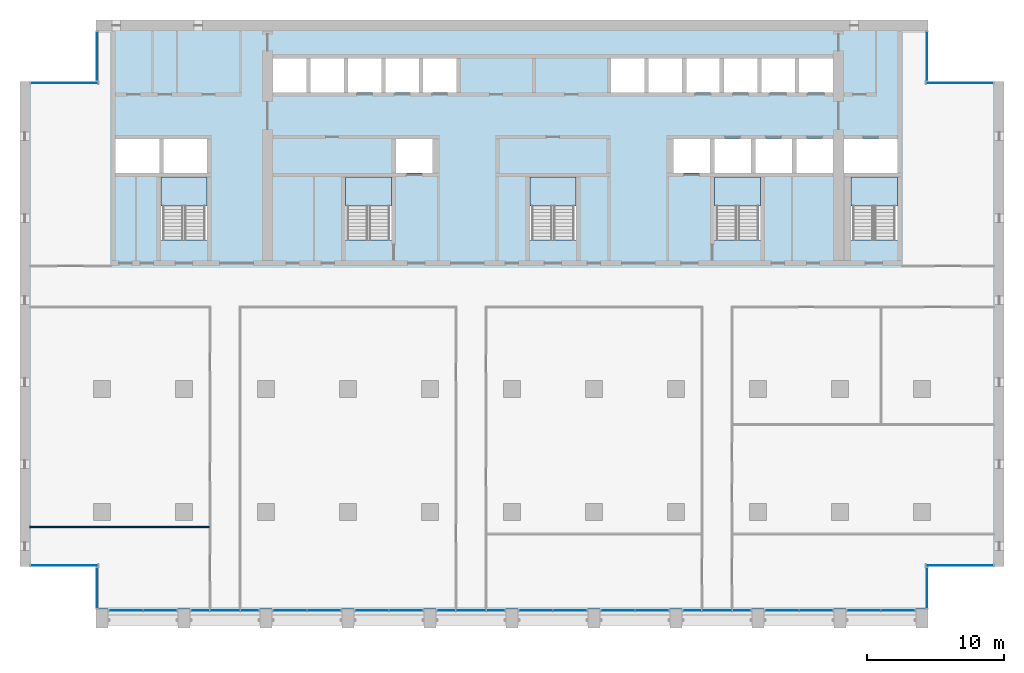
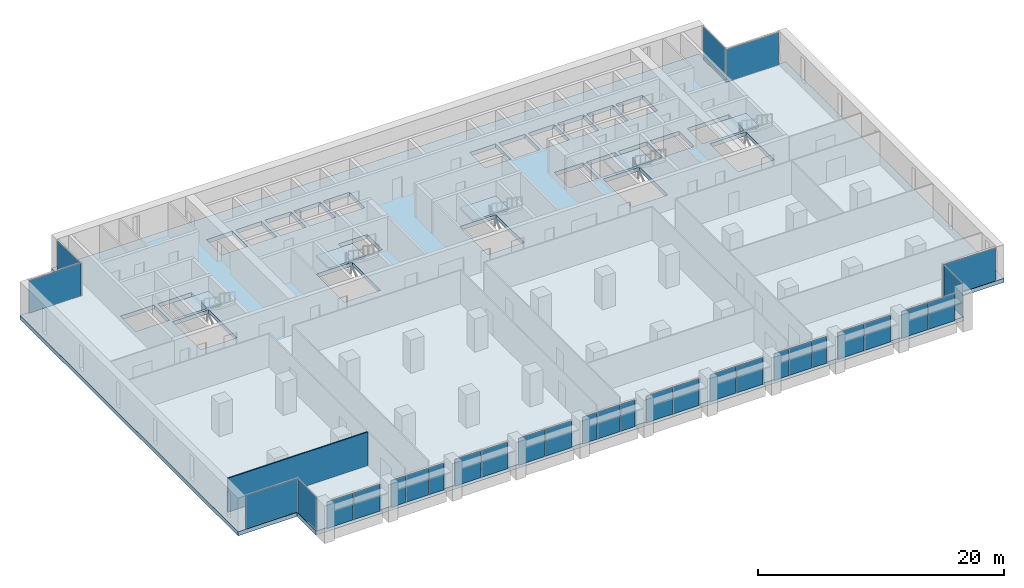
# One storey, part 7 of 16: 31 plates, 6 slabs, 1 wall, 23 elements without a shape of their own.
"""IFC4 building model written with IfcOpenShell, lengths in metres."""

from ifc_helpers import new_model, si_unit, direction, frame, frame_2d, origin, origin_2d, place, context, subcontext, project, spatial, polyline, rectangle, outline, extrude, material, layer, layer_set, type_object, element, aggregate, save


model = new_model("IFC4")

# Units and contexts
model_context = context("Model", 3, precision=1e-05, world=origin(), true_north=direction((0.0, 1.0)))
body_context = subcontext(model_context, "Body", "Model", "MODEL_VIEW")
ifc_project = project(units=[si_unit("LENGTHUNIT", "METRE"), si_unit("AREAUNIT", "SQUARE_METRE"), si_unit("VOLUMEUNIT", "CUBIC_METRE"), si_unit("PLANEANGLEUNIT", "RADIAN"), si_unit("MASSUNIT", "GRAM", prefix="KILO")], contexts=[model_context])

# Site, building, storey
site_placement = place(None, origin())
site = spatial("IfcSite", under=ifc_project, at=site_placement, CompositionType="ELEMENT")
building_placement = place(site_placement, origin())
building = spatial("IfcBuilding", under=site, at=building_placement, Name="Calvaro Tower", CompositionType="ELEMENT")
storey_placement = place(building_placement, frame((0.0, 0.0, 140.0)))
storey = spatial("IfcBuildingStorey", under=building, at=storey_placement, Name="L35", CompositionType="ELEMENT", Elevation=140.0)

# Slab
ifc_material_1 = material(Name="Concrete C40/50", Category="concrete")
ifc_layer_1 = layer(ifc_material_1, 0.39990234375)
ifc_layer_set_1 = layer_set([ifc_layer_1], Name="Concrete C40/50")
slab_type_1 = type_object("IfcSlabType", Name="Floor slab 400 C40/50", PredefinedType="FLOOR", material=ifc_layer_set_1)
slab_1_placement = place(storey_placement, frame((0.0, 0.0, -0.39990234375)))
element("IfcSlab", 1, at=slab_1_placement, inside=storey, type_object=slab_type_1, Name="Floor slab", PredefinedType="FLOOR", context=body_context, shape_type="SweptSolid", body=[
    extrude(outline(polyline([(66.449951171875, 6.0), (66.449951171875, 2.89990234375), (5.550048828125, 2.89990234375), (5.550048828125, 6.0), (0.0, 6.0), (0.0, 41.5), (5.550048828125, 41.5), (5.550048828125, 46.0), (66.449951171875, 46.0), (66.449951171875, 41.5), (72.0, 41.5), (72.0, 6.0), (66.449951171875, 6.0)]), holes=[polyline([(10.300048828125, 29.909912109375), (10.300048828125, 34.5), (12.0, 34.5), (13.699951171875, 34.5), (13.699951171875, 29.909912109375), (12.0, 29.909912109375), (10.300048828125, 29.909912109375)]), polyline([(23.800048828125, 29.909912109375), (23.800048828125, 34.5), (25.5, 34.5), (27.199951171875, 34.5), (27.199951171875, 29.909912109375), (25.5, 29.909912109375), (23.800048828125, 29.909912109375)]), polyline([(37.300048828125, 29.909912109375), (37.300048828125, 34.5), (39.0, 34.5), (40.699951171875, 34.5), (40.699951171875, 29.909912109375), (39.0, 29.909912109375), (37.300048828125, 29.909912109375)]), polyline([(50.800048828125, 29.909912109375), (50.800048828125, 34.5), (52.5, 34.5), (54.199951171875, 34.5), (54.199951171875, 29.909912109375), (52.5, 29.909912109375), (50.800048828125, 29.909912109375)]), polyline([(60.800048828125, 29.909912109375), (60.800048828125, 34.5), (62.5, 34.5), (64.199951171875, 34.5), (64.199951171875, 29.909912109375), (62.5, 29.909912109375), (60.800048828125, 29.909912109375)]), polyline([(50.800048828125, 34.800048828125), (53.5, 34.800048828125), (53.5, 37.300048828125), (50.800048828125, 37.300048828125), (50.800048828125, 34.800048828125)]), polyline([(53.800048828125, 34.800048828125), (56.5, 34.800048828125), (56.5, 37.300048828125), (53.800048828125, 37.300048828125), (53.800048828125, 34.800048828125)]), polyline([(56.800048828125, 34.800048828125), (59.5, 34.800048828125), (59.5, 37.300048828125), (56.800048828125, 37.300048828125), (56.800048828125, 34.800048828125)]), polyline([(18.5, 40.699951171875), (20.949951171875, 40.699951171875), (20.949951171875, 43.199951171875), (18.5, 43.199951171875), (18.5, 40.699951171875)]), polyline([(21.25, 40.699951171875), (23.699951171875, 40.699951171875), (23.699951171875, 43.199951171875), (21.25, 43.199951171875), (21.25, 40.699951171875)]), polyline([(24.0, 40.699951171875), (26.449951171875, 40.699951171875), (26.449951171875, 43.199951171875), (24.0, 43.199951171875), (24.0, 40.699951171875)]), polyline([(26.75, 40.699951171875), (29.199951171875, 40.699951171875), (29.199951171875, 43.199951171875), (26.75, 43.199951171875), (26.75, 40.699951171875)]), polyline([(29.5, 40.699951171875), (31.949951171875, 40.699951171875), (31.949951171875, 43.199951171875), (29.5, 43.199951171875), (29.5, 40.699951171875)]), polyline([(43.25, 40.699951171875), (45.699951171875, 40.699951171875), (45.699951171875, 43.199951171875), (43.25, 43.199951171875), (43.25, 40.699951171875)]), polyline([(46.0, 40.699951171875), (48.449951171875, 40.699951171875), (48.449951171875, 43.199951171875), (46.0, 43.199951171875), (46.0, 40.699951171875)]), polyline([(48.75, 40.699951171875), (51.199951171875, 40.699951171875), (51.199951171875, 43.199951171875), (48.75, 43.199951171875), (48.75, 40.699951171875)]), polyline([(51.5, 40.699951171875), (53.949951171875, 40.699951171875), (53.949951171875, 43.199951171875), (51.5, 43.199951171875), (51.5, 40.699951171875)]), polyline([(54.25, 40.699951171875), (56.699951171875, 40.699951171875), (56.699951171875, 43.199951171875), (54.25, 43.199951171875), (54.25, 40.699951171875)]), polyline([(57.0, 40.699951171875), (59.5, 40.699951171875), (59.5, 43.199951171875), (57.0, 43.199951171875), (57.0, 40.699951171875)]), polyline([(7.0, 34.800048828125), (10.199951171875, 34.800048828125), (10.199951171875, 37.300048828125), (7.0, 37.300048828125), (7.0, 34.800048828125)]), polyline([(10.5, 34.800048828125), (13.699951171875, 34.800048828125), (13.699951171875, 37.300048828125), (10.5, 37.300048828125), (10.5, 34.800048828125)]), polyline([(60.300048828125, 34.800048828125), (64.199951171875, 34.800048828125), (64.199951171875, 37.300048828125), (60.300048828125, 37.300048828125), (60.300048828125, 34.800048828125)]), polyline([(27.5, 34.800048828125), (30.199951171875, 34.800048828125), (30.199951171875, 37.300048828125), (27.5, 37.300048828125), (27.5, 34.800048828125)]), polyline([(47.800048828125, 34.800048828125), (50.5, 34.800048828125), (50.5, 37.300048828125), (47.800048828125, 37.300048828125), (47.800048828125, 34.800048828125)])]), origin(), (0.0, 0.0, 1.0), 0.39990234375),
])

# Curtain wall, plates
ifc_material_2 = material(Name="Anodised aluminium", Category="aluminium")
curtain_wall_type = type_object("IfcCurtainWallType", Name="Office curtain wall, middle zone", PredefinedType="NOTDEFINED", material=ifc_material_2)
curtain_wall_1_placement = place(storey_placement, origin())
curtain_wall_1 = element("IfcCurtainWall", 2, at=curtain_wall_1_placement, inside=storey, type_object=curtain_wall_type, Name="CW2 south curtain wall", PredefinedType="NOTDEFINED")
ifc_material_3 = material(Name="Glass", Category="glass")
ifc_layer_2 = layer(ifc_material_3, 0.031982421875)
ifc_layer_set_2 = layer_set([ifc_layer_2], Name="Glass")
plate_type = type_object("IfcPlateType", Name="Glass panel S2 32", PredefinedType="CURTAIN_PANEL", material=ifc_layer_set_2)
plate_1_placement = place(storey_placement, frame((7.742431640625, 2.800048828125, 0.0), z_axis=(0.0, 0.0, 1.0), x_axis=(1.0, 0.0, 0.0)))
plate_1 = element("IfcPlate", 3, at=plate_1_placement, type_object=plate_type, Name="CW2 glass panel 1.1", PredefinedType="CURTAIN_PANEL", context=body_context, shape_type="SweptSolid", body=[
    extrude(rectangle(XDim=2.445068359375, YDim=0.031982421875, at=origin_2d()), origin(), (0.0, 0.0, 1.0), 2.64990234375),
])
plate_2_placement = place(storey_placement, frame((10.257568359375, 2.800048828125, 0.0), z_axis=(0.0, 0.0, 1.0), x_axis=(1.0, 0.0, 0.0)))
plate_2 = element("IfcPlate", 4, at=plate_2_placement, type_object=plate_type, Name="CW2 glass panel 2.1", PredefinedType="CURTAIN_PANEL", context=body_context, shape_type="SweptSolid", body=[
    extrude(rectangle(XDim=2.445068359375, YDim=0.031982421875, at=origin_2d()), origin(), (0.0, 0.0, 1.0), 2.64990234375),
])
aggregate(curtain_wall_1, [plate_1, plate_2])

curtain_wall_2_placement = place(storey_placement, origin())
curtain_wall_2 = element("IfcCurtainWall", 5, at=curtain_wall_2_placement, inside=storey, type_object=curtain_wall_type, Name="CW2 south curtain wall", PredefinedType="NOTDEFINED")
plate_3_placement = place(storey_placement, frame((13.1923828125, 2.800048828125, 0.0), z_axis=(0.0, 0.0, 1.0), x_axis=(1.0, 0.0, 0.0)))
plate_3 = element("IfcPlate", 6, at=plate_3_placement, type_object=plate_type, Name="CW2 glass panel 1.1", PredefinedType="CURTAIN_PANEL", context=body_context, shape_type="SweptSolid", body=[
    extrude(rectangle(XDim=1.344970703125, YDim=0.031982421875, at=origin_2d()), origin(), (0.0, 0.0, 1.0), 2.64990234375),
])
plate_4_placement = place(storey_placement, frame((15.0, 2.800048828125, 0.0), z_axis=(0.0, 0.0, 1.0), x_axis=(1.0, 0.0, 0.0)))
plate_4 = element("IfcPlate", 7, at=plate_4_placement, type_object=plate_type, Name="CW2 glass panel 2.1", PredefinedType="CURTAIN_PANEL", context=body_context, shape_type="SweptSolid", body=[
    extrude(rectangle(XDim=2.1298828125, YDim=0.031982421875, at=origin_2d()), origin(), (0.0, 0.0, 1.0), 2.64990234375),
])
plate_5_placement = place(storey_placement, frame((16.8076171875, 2.800048828125, 0.0), z_axis=(0.0, 0.0, 1.0), x_axis=(1.0, 0.0, 0.0)))
plate_5 = element("IfcPlate", 8, at=plate_5_placement, type_object=plate_type, Name="CW2 glass panel 3.1", PredefinedType="CURTAIN_PANEL", context=body_context, shape_type="SweptSolid", body=[
    extrude(rectangle(XDim=1.344970703125, YDim=0.031982421875, at=origin_2d()), origin(), (0.0, 0.0, 1.0), 2.64990234375),
])
aggregate(curtain_wall_2, [plate_3, plate_4, plate_5])

curtain_wall_3_placement = place(storey_placement, origin())
curtain_wall_3 = element("IfcCurtainWall", 9, at=curtain_wall_3_placement, inside=storey, type_object=curtain_wall_type, Name="CW2 south curtain wall", PredefinedType="NOTDEFINED")
plate_6_placement = place(storey_placement, frame((19.742431640625, 2.800048828125, 0.0), z_axis=(0.0, 0.0, 1.0), x_axis=(1.0, 0.0, 0.0)))
plate_6 = element("IfcPlate", 10, at=plate_6_placement, type_object=plate_type, Name="CW2 glass panel 1.1", PredefinedType="CURTAIN_PANEL", context=body_context, shape_type="SweptSolid", body=[
    extrude(rectangle(XDim=2.445068359375, YDim=0.031982421875, at=origin_2d()), origin(), (0.0, 0.0, 1.0), 2.64990234375),
])
plate_7_placement = place(storey_placement, frame((22.257568359375, 2.800048828125, 0.0), z_axis=(0.0, 0.0, 1.0), x_axis=(1.0, 0.0, 0.0)))
plate_7 = element("IfcPlate", 11, at=plate_7_placement, type_object=plate_type, Name="CW2 glass panel 2.1", PredefinedType="CURTAIN_PANEL", context=body_context, shape_type="SweptSolid", body=[
    extrude(rectangle(XDim=2.445068359375, YDim=0.031982421875, at=origin_2d()), origin(), (0.0, 0.0, 1.0), 2.64990234375),
])
aggregate(curtain_wall_3, [plate_6, plate_7])

curtain_wall_4_placement = place(storey_placement, origin())
curtain_wall_4 = element("IfcCurtainWall", 12, at=curtain_wall_4_placement, inside=storey, type_object=curtain_wall_type, Name="CW2 south curtain wall", PredefinedType="NOTDEFINED")
plate_8_placement = place(storey_placement, frame((25.742431640625, 2.800048828125, 0.0), z_axis=(0.0, 0.0, 1.0), x_axis=(1.0, 0.0, 0.0)))
plate_8 = element("IfcPlate", 13, at=plate_8_placement, type_object=plate_type, Name="CW2 glass panel 1.1", PredefinedType="CURTAIN_PANEL", context=body_context, shape_type="SweptSolid", body=[
    extrude(rectangle(XDim=2.445068359375, YDim=0.031982421875, at=origin_2d()), origin(), (0.0, 0.0, 1.0), 2.64990234375),
])
plate_9_placement = place(storey_placement, frame((28.257568359375, 2.800048828125, 0.0), z_axis=(0.0, 0.0, 1.0), x_axis=(1.0, 0.0, 0.0)))
plate_9 = element("IfcPlate", 14, at=plate_9_placement, type_object=plate_type, Name="CW2 glass panel 2.1", PredefinedType="CURTAIN_PANEL", context=body_context, shape_type="SweptSolid", body=[
    extrude(rectangle(XDim=2.445068359375, YDim=0.031982421875, at=origin_2d()), origin(), (0.0, 0.0, 1.0), 2.64990234375),
])
aggregate(curtain_wall_4, [plate_8, plate_9])

curtain_wall_5_placement = place(storey_placement, origin())
curtain_wall_5 = element("IfcCurtainWall", 15, at=curtain_wall_5_placement, inside=storey, type_object=curtain_wall_type, Name="CW2 south curtain wall", PredefinedType="NOTDEFINED")
plate_10_placement = place(storey_placement, frame((31.1923828125, 2.800048828125, 0.0), z_axis=(0.0, 0.0, 1.0), x_axis=(1.0, 0.0, 0.0)))
plate_10 = element("IfcPlate", 16, at=plate_10_placement, type_object=plate_type, Name="CW2 glass panel 1.1", PredefinedType="CURTAIN_PANEL", context=body_context, shape_type="SweptSolid", body=[
    extrude(rectangle(XDim=1.344970703125, YDim=0.031982421875, at=origin_2d()), origin(), (0.0, 0.0, 1.0), 2.64990234375),
])
plate_11_placement = place(storey_placement, frame((33.0, 2.800048828125, 0.0), z_axis=(0.0, 0.0, 1.0), x_axis=(1.0, 0.0, 0.0)))
plate_11 = element("IfcPlate", 17, at=plate_11_placement, type_object=plate_type, Name="CW2 glass panel 2.1", PredefinedType="CURTAIN_PANEL", context=body_context, shape_type="SweptSolid", body=[
    extrude(rectangle(XDim=2.1298828125, YDim=0.031982421875, at=origin_2d()), origin(), (0.0, 0.0, 1.0), 2.64990234375),
])
plate_12_placement = place(storey_placement, frame((34.8076171875, 2.800048828125, 0.0), z_axis=(0.0, 0.0, 1.0), x_axis=(1.0, 0.0, 0.0)))
plate_12 = element("IfcPlate", 18, at=plate_12_placement, type_object=plate_type, Name="CW2 glass panel 3.1", PredefinedType="CURTAIN_PANEL", context=body_context, shape_type="SweptSolid", body=[
    extrude(rectangle(XDim=1.344970703125, YDim=0.031982421875, at=origin_2d()), origin(), (0.0, 0.0, 1.0), 2.64990234375),
])
aggregate(curtain_wall_5, [plate_10, plate_11, plate_12])

curtain_wall_6_placement = place(storey_placement, origin())
curtain_wall_6 = element("IfcCurtainWall", 19, at=curtain_wall_6_placement, inside=storey, type_object=curtain_wall_type, Name="CW2 south curtain wall", PredefinedType="NOTDEFINED")
plate_13_placement = place(storey_placement, frame((37.742431640625, 2.800048828125, 0.0), z_axis=(0.0, 0.0, 1.0), x_axis=(1.0, 0.0, 0.0)))
plate_13 = element("IfcPlate", 20, at=plate_13_placement, type_object=plate_type, Name="CW2 glass panel 1.1", PredefinedType="CURTAIN_PANEL", context=body_context, shape_type="SweptSolid", body=[
    extrude(rectangle(XDim=2.445068359375, YDim=0.031982421875, at=origin_2d()), origin(), (0.0, 0.0, 1.0), 2.64990234375),
])
plate_14_placement = place(storey_placement, frame((40.257568359375, 2.800048828125, 0.0), z_axis=(0.0, 0.0, 1.0), x_axis=(1.0, 0.0, 0.0)))
plate_14 = element("IfcPlate", 21, at=plate_14_placement, type_object=plate_type, Name="CW2 glass panel 2.1", PredefinedType="CURTAIN_PANEL", context=body_context, shape_type="SweptSolid", body=[
    extrude(rectangle(XDim=2.445068359375, YDim=0.031982421875, at=origin_2d()), origin(), (0.0, 0.0, 1.0), 2.64990234375),
])
aggregate(curtain_wall_6, [plate_13, plate_14])

curtain_wall_7_placement = place(storey_placement, origin())
curtain_wall_7 = element("IfcCurtainWall", 22, at=curtain_wall_7_placement, inside=storey, type_object=curtain_wall_type, Name="CW2 south curtain wall", PredefinedType="NOTDEFINED")
plate_15_placement = place(storey_placement, frame((43.742431640625, 2.800048828125, 0.0), z_axis=(0.0, 0.0, 1.0), x_axis=(1.0, 0.0, 0.0)))
plate_15 = element("IfcPlate", 23, at=plate_15_placement, type_object=plate_type, Name="CW2 glass panel 1.1", PredefinedType="CURTAIN_PANEL", context=body_context, shape_type="SweptSolid", body=[
    extrude(rectangle(XDim=2.445068359375, YDim=0.031982421875, at=origin_2d()), origin(), (0.0, 0.0, 1.0), 2.64990234375),
])
plate_16_placement = place(storey_placement, frame((46.257568359375, 2.800048828125, 0.0), z_axis=(0.0, 0.0, 1.0), x_axis=(1.0, 0.0, 0.0)))
plate_16 = element("IfcPlate", 24, at=plate_16_placement, type_object=plate_type, Name="CW2 glass panel 2.1", PredefinedType="CURTAIN_PANEL", context=body_context, shape_type="SweptSolid", body=[
    extrude(rectangle(XDim=2.445068359375, YDim=0.031982421875, at=origin_2d()), origin(), (0.0, 0.0, 1.0), 2.64990234375),
])
aggregate(curtain_wall_7, [plate_15, plate_16])

curtain_wall_8_placement = place(storey_placement, origin())
curtain_wall_8 = element("IfcCurtainWall", 25, at=curtain_wall_8_placement, inside=storey, type_object=curtain_wall_type, Name="CW2 south curtain wall", PredefinedType="NOTDEFINED")
plate_17_placement = place(storey_placement, frame((49.1923828125, 2.800048828125, 0.0), z_axis=(0.0, 0.0, 1.0), x_axis=(1.0, 0.0, 0.0)))
plate_17 = element("IfcPlate", 26, at=plate_17_placement, type_object=plate_type, Name="CW2 glass panel 1.1", PredefinedType="CURTAIN_PANEL", context=body_context, shape_type="SweptSolid", body=[
    extrude(rectangle(XDim=1.344970703125, YDim=0.031982421875, at=origin_2d()), origin(), (0.0, 0.0, 1.0), 2.64990234375),
])
plate_18_placement = place(storey_placement, frame((51.0, 2.800048828125, 0.0), z_axis=(0.0, 0.0, 1.0), x_axis=(1.0, 0.0, 0.0)))
plate_18 = element("IfcPlate", 27, at=plate_18_placement, type_object=plate_type, Name="CW2 glass panel 2.1", PredefinedType="CURTAIN_PANEL", context=body_context, shape_type="SweptSolid", body=[
    extrude(rectangle(XDim=2.1298828125, YDim=0.031982421875, at=origin_2d()), origin(), (0.0, 0.0, 1.0), 2.64990234375),
])
plate_19_placement = place(storey_placement, frame((52.8076171875, 2.800048828125, 0.0), z_axis=(0.0, 0.0, 1.0), x_axis=(1.0, 0.0, 0.0)))
plate_19 = element("IfcPlate", 28, at=plate_19_placement, type_object=plate_type, Name="CW2 glass panel 3.1", PredefinedType="CURTAIN_PANEL", context=body_context, shape_type="SweptSolid", body=[
    extrude(rectangle(XDim=1.344970703125, YDim=0.031982421875, at=origin_2d()), origin(), (0.0, 0.0, 1.0), 2.64990234375),
])
aggregate(curtain_wall_8, [plate_17, plate_18, plate_19])

curtain_wall_9_placement = place(storey_placement, origin())
curtain_wall_9 = element("IfcCurtainWall", 29, at=curtain_wall_9_placement, inside=storey, type_object=curtain_wall_type, Name="CW2 south curtain wall", PredefinedType="NOTDEFINED")
plate_20_placement = place(storey_placement, frame((55.742431640625, 2.800048828125, 0.0), z_axis=(0.0, 0.0, 1.0), x_axis=(1.0, 0.0, 0.0)))
plate_20 = element("IfcPlate", 30, at=plate_20_placement, type_object=plate_type, Name="CW2 glass panel 1.1", PredefinedType="CURTAIN_PANEL", context=body_context, shape_type="SweptSolid", body=[
    extrude(rectangle(XDim=2.445068359375, YDim=0.031982421875, at=origin_2d()), origin(), (0.0, 0.0, 1.0), 2.64990234375),
])
plate_21_placement = place(storey_placement, frame((58.257568359375, 2.800048828125, 0.0), z_axis=(0.0, 0.0, 1.0), x_axis=(1.0, 0.0, 0.0)))
plate_21 = element("IfcPlate", 31, at=plate_21_placement, type_object=plate_type, Name="CW2 glass panel 2.1", PredefinedType="CURTAIN_PANEL", context=body_context, shape_type="SweptSolid", body=[
    extrude(rectangle(XDim=2.445068359375, YDim=0.031982421875, at=origin_2d()), origin(), (0.0, 0.0, 1.0), 2.64990234375),
])
aggregate(curtain_wall_9, [plate_20, plate_21])

curtain_wall_10_placement = place(storey_placement, origin())
curtain_wall_10 = element("IfcCurtainWall", 32, at=curtain_wall_10_placement, inside=storey, type_object=curtain_wall_type, Name="CW2 south curtain wall", PredefinedType="NOTDEFINED")
plate_22_placement = place(storey_placement, frame((61.742431640625, 2.800048828125, 0.0), z_axis=(0.0, 0.0, 1.0), x_axis=(1.0, 0.0, 0.0)))
plate_22 = element("IfcPlate", 33, at=plate_22_placement, type_object=plate_type, Name="CW2 glass panel 1.1", PredefinedType="CURTAIN_PANEL", context=body_context, shape_type="SweptSolid", body=[
    extrude(rectangle(XDim=2.445068359375, YDim=0.031982421875, at=origin_2d()), origin(), (0.0, 0.0, 1.0), 2.64990234375),
])
plate_23_placement = place(storey_placement, frame((64.257568359375, 2.800048828125, 0.0), z_axis=(0.0, 0.0, 1.0), x_axis=(1.0, 0.0, 0.0)))
plate_23 = element("IfcPlate", 34, at=plate_23_placement, type_object=plate_type, Name="CW2 glass panel 2.1", PredefinedType="CURTAIN_PANEL", context=body_context, shape_type="SweptSolid", body=[
    extrude(rectangle(XDim=2.445068359375, YDim=0.031982421875, at=origin_2d()), origin(), (0.0, 0.0, 1.0), 2.64990234375),
])
aggregate(curtain_wall_10, [plate_22, plate_23])

# Curtain wall, plate
curtain_wall_11_placement = place(storey_placement, origin())
curtain_wall_11 = element("IfcCurtainWall", 35, at=curtain_wall_11_placement, inside=storey, type_object=curtain_wall_type, Name="CW2 corner curtain wall", PredefinedType="NOTDEFINED")
plate_24_placement = place(storey_placement, frame((5.64990234375, 4.449951171875, 0.0), z_axis=(0.0, 0.0, 1.0), x_axis=(0.0, 1.0, 0.0)))
plate_24 = element("IfcPlate", 36, at=plate_24_placement, type_object=plate_type, Name="CW2 glass panel 1.1", PredefinedType="CURTAIN_PANEL", context=body_context, shape_type="SweptSolid", body=[
    extrude(rectangle(XDim=2.9599609375, YDim=0.031982421875, at=origin_2d()), origin(), (0.0, 0.0, 1.0), 3.25),
])
aggregate(curtain_wall_11, [plate_24])

curtain_wall_12_placement = place(storey_placement, origin())
curtain_wall_12 = element("IfcCurtainWall", 37, at=curtain_wall_12_placement, inside=storey, type_object=curtain_wall_type, Name="CW2 corner curtain wall", PredefinedType="NOTDEFINED")
plate_25_placement = place(storey_placement, frame((3.22509765625, 6.10009765625, 0.0), z_axis=(0.0, 0.0, 1.0), x_axis=(1.0, 0.0, 0.0)))
plate_25 = element("IfcPlate", 38, at=plate_25_placement, type_object=plate_type, Name="CW2 glass panel 1.1", PredefinedType="CURTAIN_PANEL", context=body_context, shape_type="SweptSolid", body=[
    extrude(rectangle(XDim=4.909912109375, YDim=0.031982421875, at=origin_2d()), origin(), (0.0, 0.0, 1.0), 3.25),
])
aggregate(curtain_wall_12, [plate_25])

curtain_wall_13_placement = place(storey_placement, origin())
curtain_wall_13 = element("IfcCurtainWall", 39, at=curtain_wall_13_placement, inside=storey, type_object=curtain_wall_type, Name="CW2 corner curtain wall", PredefinedType="NOTDEFINED")
plate_26_placement = place(storey_placement, frame((5.64990234375, 43.35009765625, 0.0), z_axis=(0.0, 0.0, 1.0), x_axis=(0.0, 1.0, 0.0)))
plate_26 = element("IfcPlate", 40, at=plate_26_placement, type_object=plate_type, Name="CW2 glass panel 1.1", PredefinedType="CURTAIN_PANEL", context=body_context, shape_type="SweptSolid", body=[
    extrude(rectangle(XDim=3.56005859375, YDim=0.031982421875, at=origin_2d()), origin(), (0.0, 0.0, 1.0), 3.25),
])
aggregate(curtain_wall_13, [plate_26])

curtain_wall_14_placement = place(storey_placement, origin())
curtain_wall_14 = element("IfcCurtainWall", 41, at=curtain_wall_14_placement, inside=storey, type_object=curtain_wall_type, Name="CW2 corner curtain wall", PredefinedType="NOTDEFINED")
plate_27_placement = place(storey_placement, frame((3.22509765625, 41.39990234375, 0.0), z_axis=(0.0, 0.0, 1.0), x_axis=(1.0, 0.0, 0.0)))
plate_27 = element("IfcPlate", 42, at=plate_27_placement, type_object=plate_type, Name="CW2 glass panel 1.1", PredefinedType="CURTAIN_PANEL", context=body_context, shape_type="SweptSolid", body=[
    extrude(rectangle(XDim=4.909912109375, YDim=0.031982421875, at=origin_2d()), origin(), (0.0, 0.0, 1.0), 3.25),
])
aggregate(curtain_wall_14, [plate_27])

curtain_wall_15_placement = place(storey_placement, origin())
curtain_wall_15 = element("IfcCurtainWall", 43, at=curtain_wall_15_placement, inside=storey, type_object=curtain_wall_type, Name="CW2 corner curtain wall", PredefinedType="NOTDEFINED")
plate_28_placement = place(storey_placement, frame((66.35009765625, 4.449951171875, 0.0), z_axis=(0.0, 0.0, 1.0), x_axis=(0.0, 1.0, 0.0)))
plate_28 = element("IfcPlate", 44, at=plate_28_placement, type_object=plate_type, Name="CW2 glass panel 1.1", PredefinedType="CURTAIN_PANEL", context=body_context, shape_type="SweptSolid", body=[
    extrude(rectangle(XDim=2.9599609375, YDim=0.031982421875, at=origin_2d()), origin(), (0.0, 0.0, 1.0), 3.25),
])
aggregate(curtain_wall_15, [plate_28])

curtain_wall_16_placement = place(storey_placement, origin())
curtain_wall_16 = element("IfcCurtainWall", 45, at=curtain_wall_16_placement, inside=storey, type_object=curtain_wall_type, Name="CW2 corner curtain wall", PredefinedType="NOTDEFINED")
plate_29_placement = place(storey_placement, frame((68.77490234375, 6.10009765625, 0.0), z_axis=(0.0, 0.0, 1.0), x_axis=(1.0, 0.0, 0.0)))
plate_29 = element("IfcPlate", 46, at=plate_29_placement, type_object=plate_type, Name="CW2 glass panel 1.1", PredefinedType="CURTAIN_PANEL", context=body_context, shape_type="SweptSolid", body=[
    extrude(rectangle(XDim=4.909912109375, YDim=0.031982421875, at=origin_2d()), origin(), (0.0, 0.0, 1.0), 3.25),
])
aggregate(curtain_wall_16, [plate_29])

curtain_wall_17_placement = place(storey_placement, origin())
curtain_wall_17 = element("IfcCurtainWall", 47, at=curtain_wall_17_placement, inside=storey, type_object=curtain_wall_type, Name="CW2 corner curtain wall", PredefinedType="NOTDEFINED")
plate_30_placement = place(storey_placement, frame((66.35009765625, 43.35009765625, 0.0), z_axis=(0.0, 0.0, 1.0), x_axis=(0.0, 1.0, 0.0)))
plate_30 = element("IfcPlate", 48, at=plate_30_placement, type_object=plate_type, Name="CW2 glass panel 1.1", PredefinedType="CURTAIN_PANEL", context=body_context, shape_type="SweptSolid", body=[
    extrude(rectangle(XDim=3.56005859375, YDim=0.031982421875, at=origin_2d()), origin(), (0.0, 0.0, 1.0), 3.25),
])
aggregate(curtain_wall_17, [plate_30])

curtain_wall_18_placement = place(storey_placement, origin())
curtain_wall_18 = element("IfcCurtainWall", 49, at=curtain_wall_18_placement, inside=storey, type_object=curtain_wall_type, Name="CW2 corner curtain wall", PredefinedType="NOTDEFINED")
plate_31_placement = place(storey_placement, frame((68.77490234375, 41.39990234375, 0.0), z_axis=(0.0, 0.0, 1.0), x_axis=(1.0, 0.0, 0.0)))
plate_31 = element("IfcPlate", 50, at=plate_31_placement, type_object=plate_type, Name="CW2 glass panel 1.1", PredefinedType="CURTAIN_PANEL", context=body_context, shape_type="SweptSolid", body=[
    extrude(rectangle(XDim=4.909912109375, YDim=0.031982421875, at=origin_2d()), origin(), (0.0, 0.0, 1.0), 3.25),
])
aggregate(curtain_wall_18, [plate_31])

# Stair, slab
ifc_material_4 = material(Name="Concrete C40/50", Category="concrete")
stair_type = type_object("IfcStairType", Name="Exit stair 1400 2 flights", PredefinedType="HALF_TURN_STAIR", material=ifc_material_4)
stair_1_placement = place(storey_placement, origin())
stair_1 = element("IfcStair", 51, at=stair_1_placement, inside=storey, type_object=stair_type, Name="Exit stair S1", PredefinedType="HALF_TURN_STAIR")
ifc_material_5 = material(Name="Concrete C40/50", Category="concrete")
ifc_layer_3 = layer(ifc_material_5, 0.199951171875)
ifc_layer_set_3 = layer_set([ifc_layer_3], Name="Concrete C40/50")
slab_type_2 = type_object("IfcSlabType", Name="Stair landing", PredefinedType="LANDING", material=ifc_layer_set_3)
slab_2_placement = place(storey_placement, frame((0.0, 0.0, 1.675048828125)))
slab_2 = element("IfcSlab", 52, at=slab_2_placement, type_object=slab_type_2, Name="Exit stair 1, landing 1", PredefinedType="LANDING", context=body_context, shape_type="SweptSolid", body=[
    extrude(outline(polyline([(11.89990234375, 32.389892578125), (10.5, 32.389892578125), (10.5, 32.39990234375), (10.300048828125, 32.39990234375), (10.300048828125, 34.5), (10.5, 34.5), (11.89990234375, 34.5), (12.10009765625, 34.5), (13.5, 34.5), (13.699951171875, 34.5), (13.699951171875, 32.39990234375), (13.5, 32.39990234375), (13.5, 32.389892578125), (12.10009765625, 32.389892578125), (12.10009765625, 32.39990234375), (11.89990234375, 32.39990234375), (11.89990234375, 32.389892578125)])), origin(), (0.0, 0.0, 1.0), 0.199951171875),
])
aggregate(stair_1, [slab_2])

stair_2_placement = place(storey_placement, origin())
stair_2 = element("IfcStair", 53, at=stair_2_placement, inside=storey, type_object=stair_type, Name="Exit stair S2", PredefinedType="HALF_TURN_STAIR")
slab_3_placement = place(storey_placement, frame((0.0, 0.0, 1.675048828125)))
slab_3 = element("IfcSlab", 54, at=slab_3_placement, type_object=slab_type_2, Name="Exit stair 2, landing 1", PredefinedType="LANDING", context=body_context, shape_type="SweptSolid", body=[
    extrude(outline(polyline([(25.39990234375, 32.389892578125), (24.0, 32.389892578125), (24.0, 32.39990234375), (23.800048828125, 32.39990234375), (23.800048828125, 34.5), (24.0, 34.5), (25.39990234375, 34.5), (25.60009765625, 34.5), (27.0, 34.5), (27.199951171875, 34.5), (27.199951171875, 32.39990234375), (27.0, 32.39990234375), (27.0, 32.389892578125), (25.60009765625, 32.389892578125), (25.60009765625, 32.39990234375), (25.39990234375, 32.39990234375), (25.39990234375, 32.389892578125)])), origin(), (0.0, 0.0, 1.0), 0.199951171875),
])
aggregate(stair_2, [slab_3])

stair_3_placement = place(storey_placement, origin())
stair_3 = element("IfcStair", 55, at=stair_3_placement, inside=storey, type_object=stair_type, Name="Exit stair S3", PredefinedType="HALF_TURN_STAIR")
slab_4_placement = place(storey_placement, frame((0.0, 0.0, 1.675048828125)))
slab_4 = element("IfcSlab", 56, at=slab_4_placement, type_object=slab_type_2, Name="Exit stair 3, landing 1", PredefinedType="LANDING", context=body_context, shape_type="SweptSolid", body=[
    extrude(outline(polyline([(38.89990234375, 32.389892578125), (37.5, 32.389892578125), (37.5, 32.39990234375), (37.300048828125, 32.39990234375), (37.300048828125, 34.5), (37.5, 34.5), (38.89990234375, 34.5), (39.10009765625, 34.5), (40.5, 34.5), (40.699951171875, 34.5), (40.699951171875, 32.39990234375), (40.5, 32.39990234375), (40.5, 32.389892578125), (39.10009765625, 32.389892578125), (39.10009765625, 32.39990234375), (38.89990234375, 32.39990234375), (38.89990234375, 32.389892578125)])), origin(), (0.0, 0.0, 1.0), 0.199951171875),
])
aggregate(stair_3, [slab_4])

stair_4_placement = place(storey_placement, origin())
stair_4 = element("IfcStair", 57, at=stair_4_placement, inside=storey, type_object=stair_type, Name="Exit stair S4", PredefinedType="HALF_TURN_STAIR")
slab_5_placement = place(storey_placement, frame((0.0, 0.0, 1.675048828125)))
slab_5 = element("IfcSlab", 58, at=slab_5_placement, type_object=slab_type_2, Name="Exit stair 4, landing 1", PredefinedType="LANDING", context=body_context, shape_type="SweptSolid", body=[
    extrude(outline(polyline([(52.39990234375, 32.389892578125), (51.0, 32.389892578125), (51.0, 32.39990234375), (50.800048828125, 32.39990234375), (50.800048828125, 34.5), (51.0, 34.5), (52.39990234375, 34.5), (52.60009765625, 34.5), (54.0, 34.5), (54.199951171875, 34.5), (54.199951171875, 32.39990234375), (54.0, 32.39990234375), (54.0, 32.389892578125), (52.60009765625, 32.389892578125), (52.60009765625, 32.39990234375), (52.39990234375, 32.39990234375), (52.39990234375, 32.389892578125)])), origin(), (0.0, 0.0, 1.0), 0.199951171875),
])
aggregate(stair_4, [slab_5])

stair_5_placement = place(storey_placement, origin())
stair_5 = element("IfcStair", 59, at=stair_5_placement, inside=storey, type_object=stair_type, Name="Exit stair S5", PredefinedType="HALF_TURN_STAIR")
slab_6_placement = place(storey_placement, frame((0.0, 0.0, 1.675048828125)))
slab_6 = element("IfcSlab", 60, at=slab_6_placement, type_object=slab_type_2, Name="Exit stair 5, landing 1", PredefinedType="LANDING", context=body_context, shape_type="SweptSolid", body=[
    extrude(outline(polyline([(62.39990234375, 32.389892578125), (61.0, 32.389892578125), (61.0, 32.39990234375), (60.800048828125, 32.39990234375), (60.800048828125, 34.5), (61.0, 34.5), (62.39990234375, 34.5), (62.60009765625, 34.5), (64.0, 34.5), (64.199951171875, 34.5), (64.199951171875, 32.39990234375), (64.0, 32.39990234375), (64.0, 32.389892578125), (62.60009765625, 32.389892578125), (62.60009765625, 32.39990234375), (62.39990234375, 32.39990234375), (62.39990234375, 32.389892578125)])), origin(), (0.0, 0.0, 1.0), 0.199951171875),
])
aggregate(stair_5, [slab_6])

# Wall
ifc_material_6 = material(Name="Plasterboard on steel studs", Category="steel")
ifc_layer_4 = layer(ifc_material_6, 0.10009765625)
ifc_layer_set_4 = layer_set([ifc_layer_4], Name="Plasterboard on steel studs")
wall_type = type_object("IfcWallType", Name="Partition 100", PredefinedType="PARTITIONING", material=ifc_layer_set_4)
wall_placement = place(storey_placement, frame((0.699951171875, 8.89990234375, 0.0), z_axis=(0.0, 0.0, 1.0), x_axis=(1.0, 0.0, 0.0)))
element("IfcWall", 61, at=wall_placement, inside=storey, type_object=wall_type, Name="Partition T21.W003", PredefinedType="PARTITIONING", context=body_context, shape_type="SweptSolid", body=[
    extrude(rectangle(XDim=13.150146484375, YDim=0.10009765625, at=frame_2d((6.5751953125, 0.0))), origin(), (0.0, 0.0, 1.0), 3.35009765625),
])

save(model, "model.ifc")
